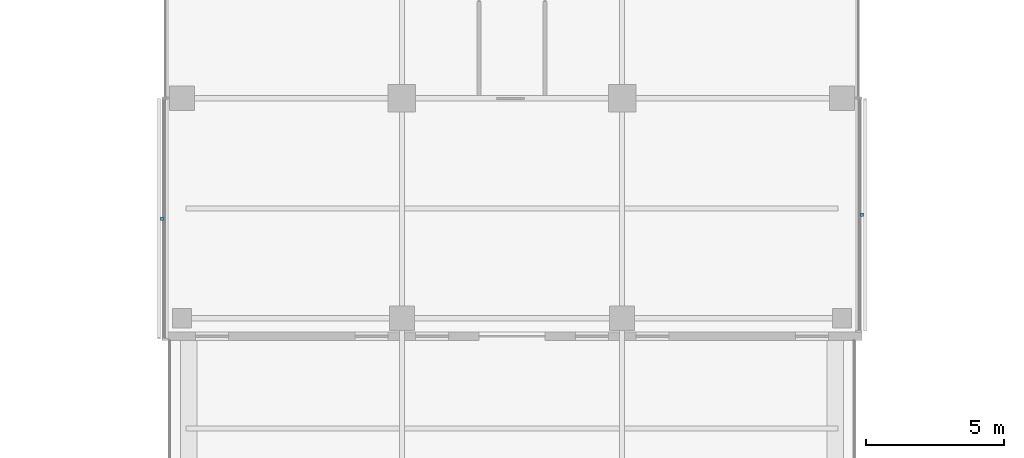
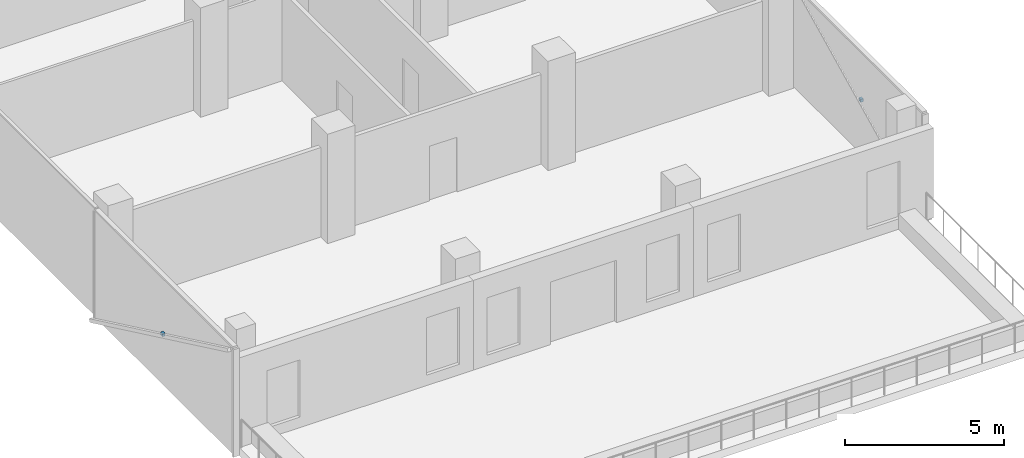
# One storey, part 21 of 24: 2 discrete accessories.
"""IFC4 building model written with IfcOpenShell, lengths in metres."""

from ifc_helpers import new_model, si_unit, direction, frame, origin, origin_2d, place, context, subcontext, project, spatial, rectangle, extrude, material, type_object, element, save


model = new_model("IFC4")

# Units and contexts
model_context = context("Model", 3, precision=1e-05, world=origin(), true_north=direction((0.0, 1.0)))
body_context = subcontext(model_context, "Body", "Model", "MODEL_VIEW")
ifc_project = project(units=[si_unit("LENGTHUNIT", "METRE"), si_unit("AREAUNIT", "SQUARE_METRE"), si_unit("VOLUMEUNIT", "CUBIC_METRE"), si_unit("PLANEANGLEUNIT", "RADIAN"), si_unit("MASSUNIT", "GRAM", prefix="KILO")], contexts=[model_context])

# Site, building, storey
site_placement = place(None, origin())
site = spatial("IfcSite", under=ifc_project, at=site_placement, CompositionType="ELEMENT")
building_placement = place(site_placement, origin())
building = spatial("IfcBuilding", under=site, at=building_placement, Name="Crosswind Convention Tower", CompositionType="ELEMENT")
storey_placement = place(building_placement, frame((0.0, 0.0, 112.699951171875)))
storey = spatial("IfcBuildingStorey", under=building, at=storey_placement, Name="L22", CompositionType="ELEMENT", Elevation=112.699951171875)

# Discrete accessories
ifc_material = material(Name="Stainless steel", Category="steel")
discrete_accessory_type = type_object("IfcDiscreteAccessoryType", Name="BAGUETTE BRACKET BK3", PredefinedType="BRACKET", material=ifc_material)
for number, where, z_axis, x_axis, name in (
    (1, (112.27392578125, 75.617431640625, 1.705078125), (0.0, 0.0, 1.0), (0.0, -1.0, 0.0), "BK3 baguette bracket"),
    (2, (137.72607421875, 75.767578125, 1.705078125), (0.0, 0.0, 1.0), (0.0, 1.0, 0.0), "BK3 baguette bracket"),
):
    element("IfcDiscreteAccessory", number, at=place(storey_placement, frame(where, z_axis=z_axis, x_axis=x_axis)), inside=storey, type_object=discrete_accessory_type, Name=name, PredefinedType="BRACKET", context=body_context, shape_type="SweptSolid", body=[
        extrude(rectangle(XDim=0.1201171875, YDim=0.10009765625, at=origin_2d()), origin(), (0.0, 0.0, 1.0), 0.1201171875),
    ])

save(model, "model.ifc")
